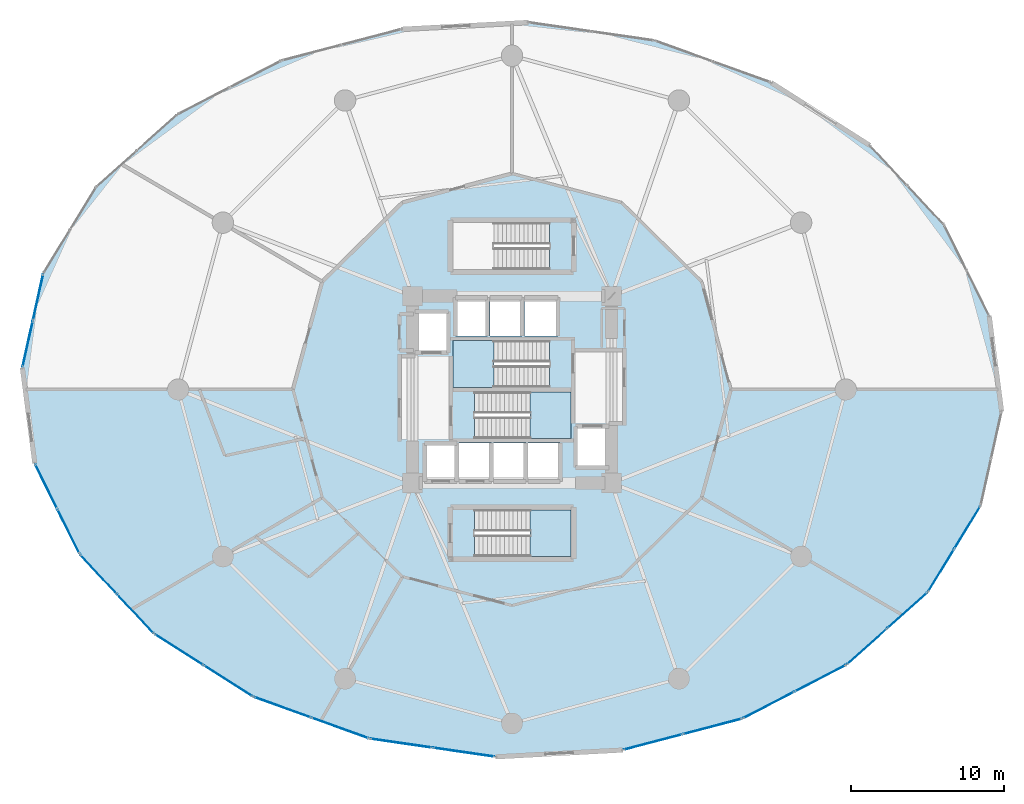
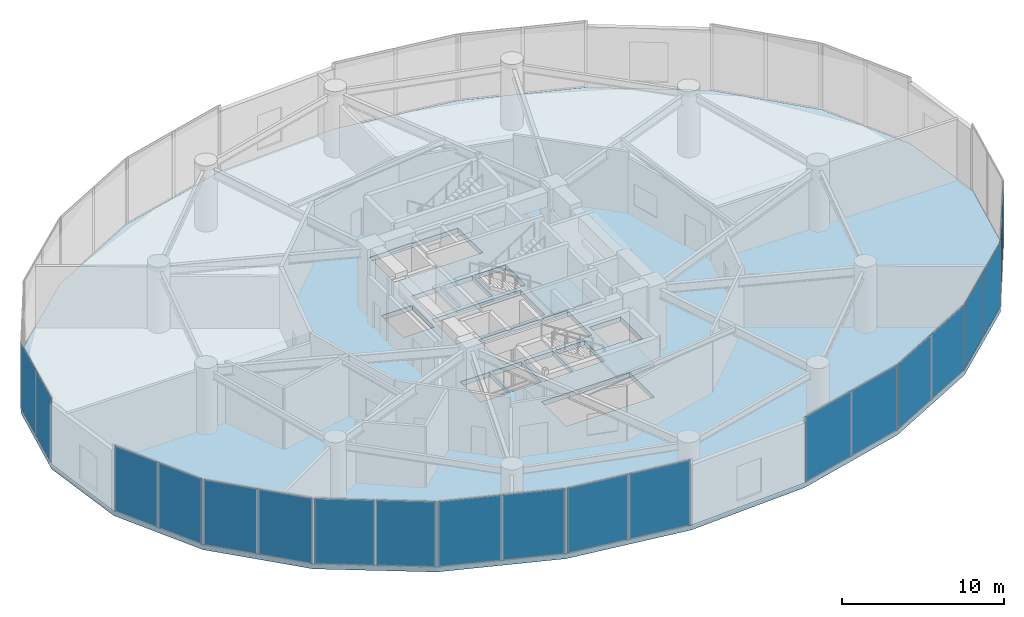
# One storey, part 22 of 31: 20 plates, 4 slabs, 13 elements without a shape of their own.
"""IFC4 building model written with IfcOpenShell, lengths in metres."""

from ifc_helpers import new_model, si_unit, direction, frame, origin, origin_2d, place, context, subcontext, project, spatial, polyline, rectangle, outline, extrude, source, transform, mapped, material, layer, layer_set, type_object, element, aggregate, save


model = new_model("IFC4")

# Units and contexts
model_context = context("Model", 3, precision=1e-05, world=origin(), true_north=direction((0.0, 1.0)))
body_context = subcontext(model_context, "Body", "Model", "MODEL_VIEW")
ifc_project = project(units=[si_unit("LENGTHUNIT", "METRE"), si_unit("AREAUNIT", "SQUARE_METRE"), si_unit("VOLUMEUNIT", "CUBIC_METRE"), si_unit("PLANEANGLEUNIT", "RADIAN"), si_unit("MASSUNIT", "GRAM", prefix="KILO")], contexts=[model_context])

# Site, building, storey
site_placement = place(None, origin())
site = spatial("IfcSite", under=ifc_project, at=site_placement, CompositionType="ELEMENT")
building_placement = place(site_placement, origin())
building = spatial("IfcBuilding", under=site, at=building_placement, Name="Solvirekh Grand Hotel", CompositionType="ELEMENT")
storey_placement = place(building_placement, frame((0.0, 0.0, 18.60009765625)))
storey = spatial("IfcBuildingStorey", under=building, at=storey_placement, Name="L03", CompositionType="ELEMENT", Elevation=18.60009765625)

# Stair, slab
ifc_material_1 = material(Name="Concrete C40/50", Category="concrete")
stair_type_1 = type_object("IfcStairType", Name="Stair_Pod_1600", PredefinedType="HALF_TURN_STAIR", material=ifc_material_1)
stair_1_placement = place(storey_placement, origin())
stair_1 = element("IfcStair", 1, at=stair_1_placement, inside=storey, type_object=stair_type_1, Name="L03 Enclosed exit stair ST-3", PredefinedType="HALF_TURN_STAIR")
ifc_layer_1 = layer(ifc_material_1, 0.219970703125)
ifc_layer_set_1 = layer_set([ifc_layer_1], Name="Concrete C40/50")
slab_type_1 = type_object("IfcSlabType", Name="Landing_PodStair_220", PredefinedType="LANDING", material=ifc_layer_set_1)
slab_1_placement = place(storey_placement, frame((0.0, 0.0, 2.2998046875)))
slab_1 = element("IfcSlab", 2, at=slab_1_placement, type_object=slab_type_1, Name="ST-3 landing 1", PredefinedType="LANDING", context=body_context, shape_type="SweptSolid", body=[
    extrude(outline(polyline([(1.18994140625, -10.89990234375), (3.85009765625, -10.89990234375), (3.85009765625, -7.85009765625), (1.18994140625, -7.85009765625), (1.18994140625, -10.89990234375)])), origin(), (0.0, 0.0, 1.0), 0.2001953125),
])
aggregate(stair_1, [slab_1])

stair_type_2 = type_object("IfcStairType", Name="Stair_Core_1450", PredefinedType="HALF_TURN_STAIR", material=ifc_material_1)
stair_2_placement = place(storey_placement, origin())
stair_2 = element("IfcStair", 3, at=stair_2_placement, inside=storey, type_object=stair_type_2, Name="L03 Enclosed exit stair ST-1", PredefinedType="HALF_TURN_STAIR")
ifc_layer_2 = layer(ifc_material_1, 0.199951171875)
ifc_layer_set_2 = layer_set([ifc_layer_2], Name="Concrete C40/50")
slab_type_2 = type_object("IfcSlabType", Name="Landing_Stair_200", PredefinedType="LANDING", material=ifc_layer_set_2)
slab_2_placement = place(storey_placement, frame((0.0, 0.0, 2.2998046875)))
slab_2 = element("IfcSlab", 4, at=slab_2_placement, type_object=slab_type_2, Name="ST-1 landing 1", PredefinedType="LANDING", context=body_context, shape_type="SweptSolid", body=[
    extrude(outline(polyline([(1.18994140625, -3.199951171875), (3.85009765625, -3.199951171875), (3.85009765625, -0.14990234375), (1.18994140625, -0.14990234375), (1.18994140625, -3.199951171875)])), origin(), (0.0, 0.0, 1.0), 0.2001953125),
])
aggregate(stair_2, [slab_2])

stair_3_placement = place(storey_placement, origin())
stair_3 = element("IfcStair", 5, at=stair_3_placement, inside=storey, type_object=stair_type_2, Name="L03 Enclosed exit stair ST-2", PredefinedType="HALF_TURN_STAIR")
slab_3_placement = place(storey_placement, frame((0.0, 0.0, 2.2998046875)))
slab_3 = element("IfcSlab", 6, at=slab_3_placement, type_object=slab_type_2, Name="ST-2 landing 1", PredefinedType="LANDING", context=body_context, shape_type="SweptSolid", body=[
    extrude(outline(polyline([(-1.18994140625, 3.199951171875), (-3.85009765625, 3.199951171875), (-3.85009765625, 0.14990234375), (-1.18994140625, 0.14990234375), (-1.18994140625, 3.199951171875)])), origin(), (0.0, 0.0, 1.0), 0.2001953125),
])
aggregate(stair_3, [slab_3])

# Slab
ifc_material_2 = material(Name="Concrete C50/60", Category="concrete")
ifc_layer_3 = layer(ifc_material_2, 0.360107421875)
ifc_layer_set_3 = layer_set([ifc_layer_3], Name="Concrete C50/60")
slab_type_3 = type_object("IfcSlabType", Name="Slab_Podium_360", PredefinedType="FLOOR", material=ifc_layer_set_3)
slab_4_placement = place(storey_placement, frame((0.0, 0.0, -0.360107421875)))
element("IfcSlab", 7, at=slab_4_placement, inside=storey, type_object=slab_type_3, Name="L03 structural floor slab", PredefinedType="FLOOR", context=body_context, shape_type="SweptSolid", body=[
    extrude(outline(polyline([(31.968017578125, -1.428955078125), (31.156005859375, 4.824951171875), (28.220947265625, 10.75), (23.363037109375, 15.943115234375), (16.912109375, 20.049072265625), (9.30908203125, 22.7890625), (1.072021484375, 23.97607421875), (-7.238037109375, 23.529052734375), (-15.055908203125, 21.47900390625), (-21.846923828125, 17.964111328125), (-27.14892578125, 13.22607421875), (-30.60107421875, 7.5859375), (-31.968017578125, 1.428955078125), (-31.156005859375, -4.824951171875), (-28.220947265625, -10.75), (-23.363037109375, -15.943115234375), (-16.912109375, -20.049072265625), (-9.30908203125, -22.7890625), (-1.072021484375, -23.97607421875), (7.238037109375, -23.529052734375), (15.055908203125, -21.47900390625), (21.846923828125, -17.964111328125), (27.14892578125, -13.22607421875), (30.60107421875, -7.5859375), (31.968017578125, -1.428955078125)]), holes=[polyline([(-2.444091796875, -0.14990234375), (3.85009765625, -0.14990234375), (3.85009765625, -3.199951171875), (-2.444091796875, -3.199951171875), (-2.444091796875, -0.14990234375)]), polyline([(2.444091796875, 0.14990234375), (-3.85009765625, 0.14990234375), (-3.85009765625, 3.199951171875), (2.444091796875, 3.199951171875), (2.444091796875, 0.14990234375)]), polyline([(-2.444091796875, -7.85009765625), (3.85009765625, -7.85009765625), (3.85009765625, -10.89990234375), (-2.444091796875, -10.89990234375), (-2.444091796875, -7.85009765625)]), polyline([(2.444091796875, 7.85009765625), (-3.85009765625, 7.85009765625), (-3.85009765625, 10.89990234375), (2.444091796875, 10.89990234375), (2.444091796875, 7.85009765625)]), polyline([(-5.699951171875, -3.5), (-3.60009765625, -3.5), (-3.60009765625, -6.0), (-5.699951171875, -6.0), (-5.699951171875, -3.5)]), polyline([(-3.449951171875, -3.5), (-1.35009765625, -3.5), (-1.35009765625, -6.0), (-3.449951171875, -6.0), (-3.449951171875, -3.5)]), polyline([(-1.199951171875, -3.5), (0.89990234375, -3.5), (0.89990234375, -6.0), (-1.199951171875, -6.0), (-1.199951171875, -3.5)]), polyline([(1.050048828125, -3.5), (3.14990234375, -3.5), (3.14990234375, -6.0), (1.050048828125, -6.0), (1.050048828125, -3.5)]), polyline([(-3.699951171875, 6.0), (-1.60009765625, 6.0), (-1.60009765625, 3.5), (-3.699951171875, 3.5), (-3.699951171875, 6.0)]), polyline([(-1.449951171875, 6.0), (0.64990234375, 6.0), (0.64990234375, 3.5), (-1.449951171875, 3.5), (-1.449951171875, 6.0)]), polyline([(0.800048828125, 6.0), (3.0, 6.0), (3.0, 3.5), (0.800048828125, 3.5), (0.800048828125, 6.0)]), polyline([(-6.35009765625, 5.10009765625), (-4.14990234375, 5.10009765625), (-4.14990234375, 2.39990234375), (-6.35009765625, 2.39990234375), (-6.35009765625, 5.10009765625)]), polyline([(4.14990234375, -2.39990234375), (6.35009765625, -2.39990234375), (6.35009765625, -5.10009765625), (4.14990234375, -5.10009765625), (4.14990234375, -2.39990234375)])]), origin(), (0.0, 0.0, 1.0), 0.360107421875),
])

# Curtain wall, plates
ifc_material_3 = material(Name="Anodized Bronze Aluminium 6063-T6", Category="aluminium")
ifc_layer_4 = layer(ifc_material_3, 0.219970703125)
ifc_layer_set_4 = layer_set([ifc_layer_4], Name="Anodized Bronze Aluminium 6063-T6")
curtain_wall_type = type_object("IfcCurtainWallType", Name="CW_Sys1_PodiumBronzeUnitised", PredefinedType="NOTDEFINED", material=ifc_layer_set_4)
curtain_wall_1_placement = place(storey_placement, origin())
curtain_wall_1 = element("IfcCurtainWall", 8, at=curtain_wall_1_placement, inside=storey, type_object=curtain_wall_type, Name="L03 unitised bronze-glass curtain wall CW-L03-C14", PredefinedType="NOTDEFINED")
ifc_material_4 = material(Name="Low-E Tinted Bronze Laminated Glass", Category="aluminium")
ifc_layer_5 = layer(ifc_material_4, 0.0439453125)
ifc_layer_set_5 = layer_set([ifc_layer_5], Name="Low-E Tinted Bronze Laminated Glass")
plate_type = type_object("IfcPlateType", Name="CWPanel_Podium_44", PredefinedType="CURTAIN_PANEL", material=ifc_layer_set_5)
shared_shape_1 = source(origin(), body_context, "Body", "SweptSolid", [
    extrude(rectangle(XDim=3.193603515625, YDim=0.0439453125, at=origin_2d()), origin(), (0.0, 0.0, 1.0), 4.8701171875),
])
plate_1_placement = place(storey_placement, frame((-30.413818359375, -6.322998046875, 0.06494140625), z_axis=(0.0, 0.0, 1.0), x_axis=(0.443883267157, -0.896084619407, 0.0)))
plate_1 = element("IfcPlate", 9, at=plate_1_placement, type_object=plate_type, Name="U01 panel 1.1", PredefinedType="CURTAIN_PANEL", context=body_context, shape_type="MappedRepresentation", body=[
    mapped(shared_shape_1, transform((0.0, 0.0, 0.0), x_axis=(1.0, 0.0, 0.0), y_axis=(0.0, 1.0, 0.0), z_axis=(0.0, 0.0, 1.0), scale=1.0)),
])
plate_2_placement = place(storey_placement, frame((-28.963134765625, -9.251953125, 0.06494140625), z_axis=(0.0, 0.0, 1.0), x_axis=(0.443883267157, -0.896084619407, 0.0)))
plate_2 = element("IfcPlate", 10, at=plate_2_placement, type_object=plate_type, Name="U01 panel 2.1", PredefinedType="CURTAIN_PANEL", context=body_context, shape_type="MappedRepresentation", body=[
    mapped(shared_shape_1, transform((0.0, 0.0, 0.0), x_axis=(1.0, 0.0, 0.0), y_axis=(0.0, 1.0, 0.0), z_axis=(0.0, 0.0, 1.0), scale=1.0)),
])
aggregate(curtain_wall_1, [plate_1, plate_2])

curtain_wall_2_placement = place(storey_placement, origin())
curtain_wall_2 = element("IfcCurtainWall", 11, at=curtain_wall_2_placement, inside=storey, type_object=curtain_wall_type, Name="L03 unitised bronze-glass curtain wall CW-L03-C15", PredefinedType="NOTDEFINED")
shared_shape_2 = source(origin(), body_context, "Body", "SweptSolid", [
    extrude(rectangle(XDim=3.443115234375, YDim=0.0439453125, at=origin_2d()), origin(), (0.0, 0.0, 1.0), 4.8701171875),
])
plate_3_placement = place(storey_placement, frame((-26.99365234375, -12.06201171875, 0.06494140625), z_axis=(0.0, 0.0, 1.0), x_axis=(0.683159547971, -0.730269150393, 0.0)))
plate_3 = element("IfcPlate", 12, at=plate_3_placement, type_object=plate_type, Name="U01 panel 1.1", PredefinedType="CURTAIN_PANEL", context=body_context, shape_type="MappedRepresentation", body=[
    mapped(shared_shape_2, transform((0.0, 0.0, 0.0), x_axis=(1.0, 0.0, 0.0), y_axis=(0.0, 1.0, 0.0), z_axis=(0.0, 0.0, 1.0), scale=1.0)),
])
plate_4_placement = place(storey_placement, frame((-24.59033203125, -14.631103515625, 0.06494140625), z_axis=(0.0, 0.0, 1.0), x_axis=(0.683159547971, -0.730269150393, 0.0)))
plate_4 = element("IfcPlate", 13, at=plate_4_placement, type_object=plate_type, Name="U01 panel 2.1", PredefinedType="CURTAIN_PANEL", context=body_context, shape_type="MappedRepresentation", body=[
    mapped(shared_shape_2, transform((0.0, 0.0, 0.0), x_axis=(1.0, 0.0, 0.0), y_axis=(0.0, 1.0, 0.0), z_axis=(0.0, 0.0, 1.0), scale=1.0)),
])
aggregate(curtain_wall_2, [plate_3, plate_4])

curtain_wall_3_placement = place(storey_placement, origin())
curtain_wall_3 = element("IfcCurtainWall", 14, at=curtain_wall_3_placement, inside=storey, type_object=curtain_wall_type, Name="L03 unitised bronze-glass curtain wall CW-L03-C17", PredefinedType="NOTDEFINED")
shared_shape_3 = source(origin(), body_context, "Body", "SweptSolid", [
    extrude(rectangle(XDim=3.92822265625, YDim=0.0439453125, at=origin_2d()), origin(), (0.0, 0.0, 1.0), 4.8701171875),
])
plate_5_placement = place(storey_placement, frame((-14.99365234375, -20.740478515625, 0.06494140625), z_axis=(0.0, 0.0, 1.0), x_axis=(0.940772208505, -0.339039307019, 0.0)))
plate_5 = element("IfcPlate", 15, at=plate_5_placement, type_object=plate_type, Name="U01 panel 1.1", PredefinedType="CURTAIN_PANEL", context=body_context, shape_type="MappedRepresentation", body=[
    mapped(shared_shape_3, transform((0.0, 0.0, 0.0), x_axis=(1.0, 0.0, 0.0), y_axis=(0.0, 1.0, 0.0), z_axis=(0.0, 0.0, 1.0), scale=1.0)),
])
plate_6_placement = place(storey_placement, frame((-11.227294921875, -22.09765625, 0.06494140625), z_axis=(0.0, 0.0, 1.0), x_axis=(0.940772208505, -0.339039307019, 0.0)))
plate_6 = element("IfcPlate", 16, at=plate_6_placement, type_object=plate_type, Name="U01 panel 2.1", PredefinedType="CURTAIN_PANEL", context=body_context, shape_type="MappedRepresentation", body=[
    mapped(shared_shape_3, transform((0.0, 0.0, 0.0), x_axis=(1.0, 0.0, 0.0), y_axis=(0.0, 1.0, 0.0), z_axis=(0.0, 0.0, 1.0), scale=1.0)),
])
aggregate(curtain_wall_3, [plate_5, plate_6])

curtain_wall_4_placement = place(storey_placement, origin())
curtain_wall_4 = element("IfcCurtainWall", 17, at=curtain_wall_4_placement, inside=storey, type_object=curtain_wall_type, Name="L03 unitised bronze-glass curtain wall CW-L03-C18", PredefinedType="NOTDEFINED")
shared_shape_4 = source(origin(), body_context, "Body", "SweptSolid", [
    extrude(rectangle(XDim=4.048583984375, YDim=0.0439453125, at=origin_2d()), origin(), (0.0, 0.0, 1.0), 4.8701171875),
])
plate_7_placement = place(storey_placement, frame((-7.231201171875, -23.08837890625, 0.06494140625), z_axis=(0.0, 0.0, 1.0), x_axis=(0.989775719157, -0.142632484965, 0.0)))
plate_7 = element("IfcPlate", 18, at=plate_7_placement, type_object=plate_type, Name="U01 panel 1.1", PredefinedType="CURTAIN_PANEL", context=body_context, shape_type="MappedRepresentation", body=[
    mapped(shared_shape_4, transform((0.0, 0.0, 0.0), x_axis=(1.0, 0.0, 0.0), y_axis=(0.0, 1.0, 0.0), z_axis=(0.0, 0.0, 1.0), scale=1.0)),
])
plate_8_placement = place(storey_placement, frame((-3.14990234375, -23.676513671875, 0.06494140625), z_axis=(0.0, 0.0, 1.0), x_axis=(0.989775719157, -0.142632484965, 0.0)))
plate_8 = element("IfcPlate", 19, at=plate_8_placement, type_object=plate_type, Name="U01 panel 2.1", PredefinedType="CURTAIN_PANEL", context=body_context, shape_type="MappedRepresentation", body=[
    mapped(shared_shape_4, transform((0.0, 0.0, 0.0), x_axis=(1.0, 0.0, 0.0), y_axis=(0.0, 1.0, 0.0), z_axis=(0.0, 0.0, 1.0), scale=1.0)),
])
aggregate(curtain_wall_4, [plate_7, plate_8])

curtain_wall_5_placement = place(storey_placement, origin())
curtain_wall_5 = element("IfcCurtainWall", 20, at=curtain_wall_5_placement, inside=storey, type_object=curtain_wall_type, Name="L03 unitised bronze-glass curtain wall CW-L03-C20", PredefinedType="NOTDEFINED")
shared_shape_5 = source(origin(), body_context, "Body", "SweptSolid", [
    extrude(rectangle(XDim=3.9287109375, YDim=0.0439453125, at=origin_2d()), origin(), (0.0, 0.0, 1.0), 4.8701171875),
])
plate_9_placement = place(storey_placement, frame((9.210693359375, -23.01171875, 0.06494140625), z_axis=(0.0, 0.0, 1.0), x_axis=(0.967298536985, 0.253640573146, 0.0)))
plate_9 = element("IfcPlate", 21, at=plate_9_placement, type_object=plate_type, Name="U01 panel 1.1", PredefinedType="CURTAIN_PANEL", context=body_context, shape_type="MappedRepresentation", body=[
    mapped(shared_shape_5, transform((0.0, 0.0, 0.0), x_axis=(1.0, 0.0, 0.0), y_axis=(0.0, 1.0, 0.0), z_axis=(0.0, 0.0, 1.0), scale=1.0)),
])
plate_10_placement = place(storey_placement, frame((13.083251953125, -21.996337890625, 0.06494140625), z_axis=(0.0, 0.0, 1.0), x_axis=(0.967298536985, 0.253640573146, 0.0)))
plate_10 = element("IfcPlate", 22, at=plate_10_placement, type_object=plate_type, Name="U01 panel 2.1", PredefinedType="CURTAIN_PANEL", context=body_context, shape_type="MappedRepresentation", body=[
    mapped(shared_shape_5, transform((0.0, 0.0, 0.0), x_axis=(1.0, 0.0, 0.0), y_axis=(0.0, 1.0, 0.0), z_axis=(0.0, 0.0, 1.0), scale=1.0)),
])
aggregate(curtain_wall_5, [plate_9, plate_10])

curtain_wall_6_placement = place(storey_placement, origin())
curtain_wall_6 = element("IfcCurtainWall", 23, at=curtain_wall_6_placement, inside=storey, type_object=curtain_wall_type, Name="L03 unitised bronze-glass curtain wall CW-L03-C16", PredefinedType="NOTDEFINED")
shared_shape_6 = source(origin(), body_context, "Body", "SweptSolid", [
    extrude(rectangle(XDim=3.7109375, YDim=0.0439453125, at=origin_2d()), origin(), (0.0, 0.0, 1.0), 4.8701171875),
])
plate_11_placement = place(storey_placement, frame((-21.734375, -16.9794921875, 0.06494140625), z_axis=(0.0, 0.0, 1.0), x_axis=(0.843613021564, -0.536951645725, 0.0)))
plate_11 = element("IfcPlate", 24, at=plate_11_placement, type_object=plate_type, Name="U01 panel 1.1", PredefinedType="CURTAIN_PANEL", context=body_context, shape_type="MappedRepresentation", body=[
    mapped(shared_shape_6, transform((0.0, 0.0, 0.0), x_axis=(1.0, 0.0, 0.0), y_axis=(0.0, 1.0, 0.0), z_axis=(0.0, 0.0, 1.0), scale=1.0)),
])
plate_12_placement = place(storey_placement, frame((-18.54052734375, -19.012451171875, 0.06494140625), z_axis=(0.0, 0.0, 1.0), x_axis=(0.843613021564, -0.536951645725, 0.0)))
plate_12 = element("IfcPlate", 25, at=plate_12_placement, type_object=plate_type, Name="U01 panel 2.1", PredefinedType="CURTAIN_PANEL", context=body_context, shape_type="MappedRepresentation", body=[
    mapped(shared_shape_6, transform((0.0, 0.0, 0.0), x_axis=(1.0, 0.0, 0.0), y_axis=(0.0, 1.0, 0.0), z_axis=(0.0, 0.0, 1.0), scale=1.0)),
])
aggregate(curtain_wall_6, [plate_11, plate_12])

curtain_wall_7_placement = place(storey_placement, origin())
curtain_wall_7 = element("IfcCurtainWall", 26, at=curtain_wall_7_placement, inside=storey, type_object=curtain_wall_type, Name="L03 unitised bronze-glass curtain wall CW-L03-C21", PredefinedType="NOTDEFINED")
plate_13_placement = place(storey_placement, frame((16.7705078125, -20.591552734375, 0.06494140625), z_axis=(0.0, 0.0, 1.0), x_axis=(0.888088796713, 0.459671936443, 0.0)))
plate_13 = element("IfcPlate", 27, at=plate_13_placement, type_object=plate_type, Name="U01 panel 1.1", PredefinedType="CURTAIN_PANEL", context=body_context, shape_type="MappedRepresentation", body=[
    mapped(shared_shape_6, transform((0.0, 0.0, 0.0), x_axis=(1.0, 0.0, 0.0), y_axis=(0.0, 1.0, 0.0), z_axis=(0.0, 0.0, 1.0), scale=1.0)),
])
plate_14_placement = place(storey_placement, frame((20.132568359375, -18.851318359375, 0.06494140625), z_axis=(0.0, 0.0, 1.0), x_axis=(0.888088796713, 0.459671936443, 0.0)))
plate_14 = element("IfcPlate", 28, at=plate_14_placement, type_object=plate_type, Name="U01 panel 2.1", PredefinedType="CURTAIN_PANEL", context=body_context, shape_type="MappedRepresentation", body=[
    mapped(shared_shape_6, transform((0.0, 0.0, 0.0), x_axis=(1.0, 0.0, 0.0), y_axis=(0.0, 1.0, 0.0), z_axis=(0.0, 0.0, 1.0), scale=1.0)),
])
aggregate(curtain_wall_7, [plate_13, plate_14])

curtain_wall_8_placement = place(storey_placement, origin())
curtain_wall_8 = element("IfcCurtainWall", 29, at=curtain_wall_8_placement, inside=storey, type_object=curtain_wall_type, Name="L03 unitised bronze-glass curtain wall CW-L03-C22", PredefinedType="NOTDEFINED")
shared_shape_7 = source(origin(), body_context, "Body", "SweptSolid", [
    extrude(rectangle(XDim=3.44287109375, YDim=0.0439453125, at=origin_2d()), origin(), (0.0, 0.0, 1.0), 4.8701171875),
])
plate_15_placement = place(storey_placement, frame((23.1865234375, -16.76708984375, 0.06494140625), z_axis=(0.0, 0.0, 1.0), x_axis=(0.745653127174, 0.66633431094, 0.0)))
plate_15 = element("IfcPlate", 30, at=plate_15_placement, type_object=plate_type, Name="U01 panel 1.1", PredefinedType="CURTAIN_PANEL", context=body_context, shape_type="MappedRepresentation", body=[
    mapped(shared_shape_7, transform((0.0, 0.0, 0.0), x_axis=(1.0, 0.0, 0.0), y_axis=(0.0, 1.0, 0.0), z_axis=(0.0, 0.0, 1.0), scale=1.0)),
])
plate_16_placement = place(storey_placement, frame((25.8095703125, -14.423095703125, 0.06494140625), z_axis=(0.0, 0.0, 1.0), x_axis=(0.745653127174, 0.66633431094, 0.0)))
plate_16 = element("IfcPlate", 31, at=plate_16_placement, type_object=plate_type, Name="U01 panel 2.1", PredefinedType="CURTAIN_PANEL", context=body_context, shape_type="MappedRepresentation", body=[
    mapped(shared_shape_7, transform((0.0, 0.0, 0.0), x_axis=(1.0, 0.0, 0.0), y_axis=(0.0, 1.0, 0.0), z_axis=(0.0, 0.0, 1.0), scale=1.0)),
])
aggregate(curtain_wall_8, [plate_15, plate_16])

curtain_wall_9_placement = place(storey_placement, origin())
curtain_wall_9 = element("IfcCurtainWall", 32, at=curtain_wall_9_placement, inside=storey, type_object=curtain_wall_type, Name="L03 unitised bronze-glass curtain wall CW-L03-C23", PredefinedType="NOTDEFINED")
shared_shape_8 = source(origin(), body_context, "Body", "SweptSolid", [
    extrude(rectangle(XDim=3.19384765625, YDim=0.0439453125, at=origin_2d()), origin(), (0.0, 0.0, 1.0), 4.8701171875),
])
plate_17_placement = place(storey_placement, frame((28.021728515625, -11.800048828125, 0.06494140625), z_axis=(0.0, 0.0, 1.0), x_axis=(0.522037124212, 0.852922763762, 0.0)))
plate_17 = element("IfcPlate", 33, at=plate_17_placement, type_object=plate_type, Name="U01 panel 1.1", PredefinedType="CURTAIN_PANEL", context=body_context, shape_type="MappedRepresentation", body=[
    mapped(shared_shape_8, transform((0.0, 0.0, 0.0), x_axis=(1.0, 0.0, 0.0), y_axis=(0.0, 1.0, 0.0), z_axis=(0.0, 0.0, 1.0), scale=1.0)),
])
plate_18_placement = place(storey_placement, frame((29.728271484375, -9.011962890625, 0.06494140625), z_axis=(0.0, 0.0, 1.0), x_axis=(0.522037124212, 0.852922763762, 0.0)))
plate_18 = element("IfcPlate", 34, at=plate_18_placement, type_object=plate_type, Name="U01 panel 2.1", PredefinedType="CURTAIN_PANEL", context=body_context, shape_type="MappedRepresentation", body=[
    mapped(shared_shape_8, transform((0.0, 0.0, 0.0), x_axis=(1.0, 0.0, 0.0), y_axis=(0.0, 1.0, 0.0), z_axis=(0.0, 0.0, 1.0), scale=1.0)),
])
aggregate(curtain_wall_9, [plate_17, plate_18])

curtain_wall_10_placement = place(storey_placement, origin())
curtain_wall_10 = element("IfcCurtainWall", 35, at=curtain_wall_10_placement, inside=storey, type_object=curtain_wall_type, Name="L03 unitised bronze-glass curtain wall CW-L03-C12", PredefinedType="NOTDEFINED")
shared_shape_9 = source(origin(), body_context, "Body", "SweptSolid", [
    extrude(rectangle(XDim=3.041015625, YDim=0.0439453125, at=origin_2d()), origin(), (0.0, 0.0, 1.0), 4.8701171875),
])
plate_19_placement = place(storey_placement, frame((-30.94677734375, 6.028564453125, 0.06494140625), z_axis=(0.0, 0.0, 1.0), x_axis=(-0.216745783068, -0.976228080687, 0.0)))
plate_19 = element("IfcPlate", 36, at=plate_19_placement, type_object=plate_type, Name="U01 panel 1.1", PredefinedType="CURTAIN_PANEL", context=body_context, shape_type="MappedRepresentation", body=[
    mapped(shared_shape_9, transform((0.0, 0.0, 0.0), x_axis=(1.0, 0.0, 0.0), y_axis=(0.0, 1.0, 0.0), z_axis=(0.0, 0.0, 1.0), scale=1.0)),
])
plate_20_placement = place(storey_placement, frame((-31.6220703125, 2.986572265625, 0.06494140625), z_axis=(0.0, 0.0, 1.0), x_axis=(-0.216745783068, -0.976228080687, 0.0)))
plate_20 = element("IfcPlate", 37, at=plate_20_placement, type_object=plate_type, Name="U01 panel 2.1", PredefinedType="CURTAIN_PANEL", context=body_context, shape_type="MappedRepresentation", body=[
    mapped(shared_shape_9, transform((0.0, 0.0, 0.0), x_axis=(1.0, 0.0, 0.0), y_axis=(0.0, 1.0, 0.0), z_axis=(0.0, 0.0, 1.0), scale=1.0)),
])
aggregate(curtain_wall_10, [plate_19, plate_20])

save(model, "model.ifc")
